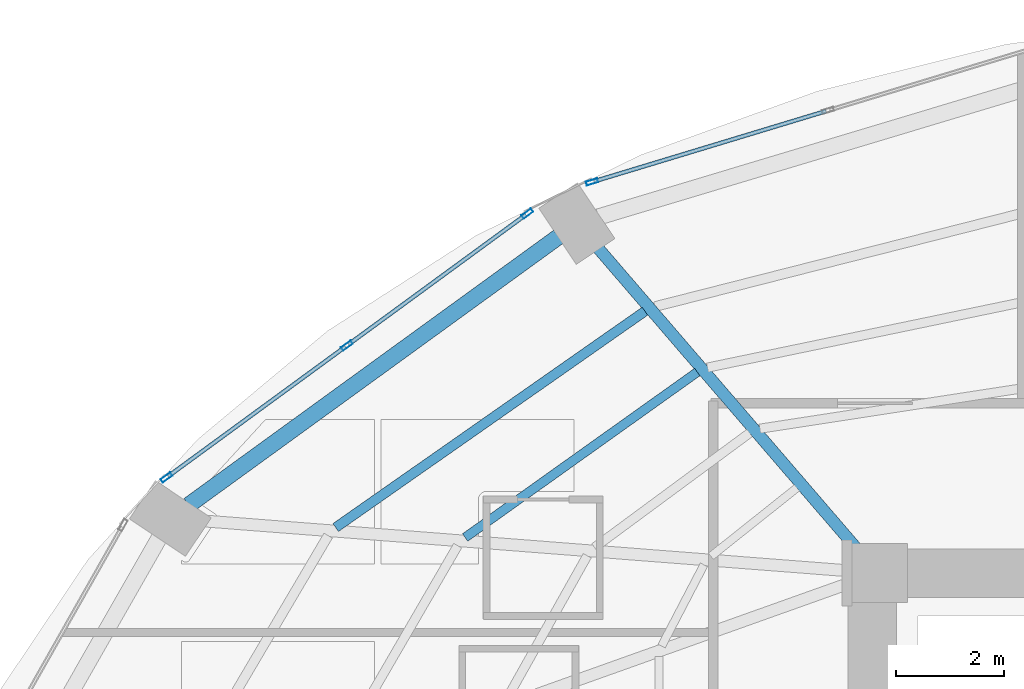
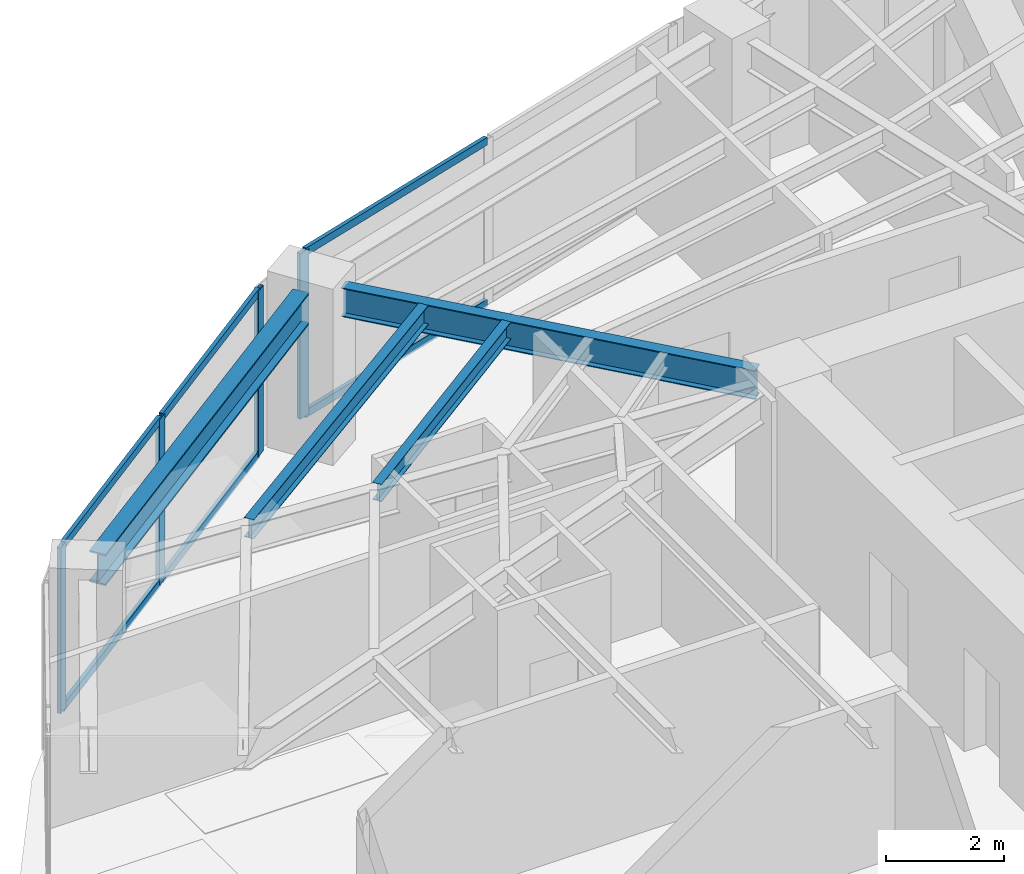
# One storey, part 13 of 24: 10 members, 4 beams, 2 elements without a shape of their own.
"""IFC4 building model written with IfcOpenShell, lengths in metres."""

from ifc_helpers import new_model, si_unit, direction, frame, origin, origin_2d, place, context, subcontext, project, spatial, hollow_rectangle, i_section, extrude, material, layer, layer_set, material_profile, profile_set, type_object, element, aggregate, save


model = new_model("IFC4")

# Units and contexts
model_context = context("Model", 3, precision=1e-05, world=origin(), true_north=direction((0.0, 1.0)))
body_context = subcontext(model_context, "Body", "Model", "MODEL_VIEW")
ifc_project = project(units=[si_unit("LENGTHUNIT", "METRE"), si_unit("AREAUNIT", "SQUARE_METRE"), si_unit("VOLUMEUNIT", "CUBIC_METRE"), si_unit("PLANEANGLEUNIT", "RADIAN"), si_unit("MASSUNIT", "GRAM", prefix="KILO")], contexts=[model_context])

# Site, building, storey
site_placement = place(None, origin())
site = spatial("IfcSite", under=ifc_project, at=site_placement, CompositionType="ELEMENT")
building_placement = place(site_placement, origin())
building = spatial("IfcBuilding", under=site, at=building_placement, Name="Lazwardi Medical Tower", CompositionType="ELEMENT")
storey_placement = place(building_placement, frame((0.0, 0.0, 54.384033203125)))
storey = spatial("IfcBuildingStorey", under=building, at=storey_placement, Name="L13", CompositionType="ELEMENT", Elevation=54.384033203125)

# Beams
ifc_material_1 = material(Name="Steel S355", Category="steel")
ifc_material_profile_1 = material_profile(ifc_material_1, i_section(OverallWidth=0.300048828125, OverallDepth=0.64990234375, WebThickness=0.01611328125, FlangeThickness=0.031005859375, at=origin_2d()), Name="HEB 650")
ifc_profile_set_1 = profile_set([ifc_material_profile_1], Name="Steel S355")
beam_type_1 = type_object("IfcBeamType", Name="BM-RB-Z1", PredefinedType="BEAM", material=ifc_profile_set_1)
beam_1_placement = place(storey_placement, frame((20.47900390625, 41.83740234375, 3.10302734375), z_axis=(-0.80939338516, -0.5872668457, 0.0), x_axis=(0.5872668457, -0.80939338516, 0.0)))
element("IfcBeam", 1, at=beam_1_placement, inside=storey, type_object=beam_type_1, Name="Ring beam RB-02 B10 L13", PredefinedType="BEAM", context=body_context, shape_type="SweptSolid", body=[
    extrude(i_section(OverallWidth=0.300048828125, OverallDepth=0.64990234375, WebThickness=0.01611328125, FlangeThickness=0.031005859375, at=origin_2d()), origin(), (0.0, 0.0, 1.0), 8.47412109375),
])
ifc_material_profile_2 = material_profile(ifc_material_1, i_section(OverallWidth=0.219970703125, OverallDepth=0.60009765625, WebThickness=0.011962890625, FlangeThickness=0.01904296875, at=origin_2d()), Name="IPE 600")
ifc_profile_set_2 = profile_set([ifc_material_profile_2], Name="Steel S355")
beam_type_2 = type_object("IfcBeamType", Name="BM-RG-W1", PredefinedType="BEAM", material=ifc_profile_set_2)
beam_2_placement = place(storey_placement, frame((21.197509765625, 41.644287109375, 3.1279296875), z_axis=(0.652368190463, -0.757902199543, 0.0), x_axis=(0.757902199543, 0.652368190463, 0.0)))
element("IfcBeam", 2, at=beam_2_placement, inside=storey, type_object=beam_type_2, Name="Radial girder RG-02 R10 L13", PredefinedType="BEAM", context=body_context, shape_type="SweptSolid", body=[
    extrude(i_section(OverallWidth=0.219970703125, OverallDepth=0.60009765625, WebThickness=0.011962890625, FlangeThickness=0.01904296875, at=origin_2d()), origin(), (0.0, 0.0, 1.0), 7.43994140625),
])
ifc_material_profile_3 = material_profile(ifc_material_1, i_section(OverallWidth=0.179931640625, OverallDepth=0.39990234375, WebThickness=0.008544921875, FlangeThickness=0.013427734375, at=origin_2d()), Name="IPE 400")
ifc_profile_set_3 = profile_set([ifc_material_profile_3], Name="Steel S355")
beam_type_3 = type_object("IfcBeamType", Name="BM-SJ-01", PredefinedType="JOIST", material=ifc_profile_set_3)
beam_3_placement = place(storey_placement, frame((22.08203125, 40.456298828125, 3.22802734375), z_axis=(-0.81942522483, -0.573186096231, 0.0), x_axis=(0.573186096231, -0.81942522483, 0.0)))
element("IfcBeam", 3, at=beam_3_placement, inside=storey, type_object=beam_type_3, Name="Secondary joist SJ-01 R1 B10 L13", PredefinedType="JOIST", context=body_context, shape_type="SweptSolid", body=[
    extrude(i_section(OverallWidth=0.179931640625, OverallDepth=0.39990234375, WebThickness=0.008544921875, FlangeThickness=0.013427734375, at=origin_2d()), origin(), (0.0, 0.0, 1.0), 6.999755859375),
])
ifc_material_profile_4 = material_profile(ifc_material_1, i_section(OverallWidth=0.169921875, OverallDepth=0.360107421875, WebThickness=0.008056640625, FlangeThickness=0.0126953125, at=origin_2d()), Name="IPE 360")
ifc_profile_set_4 = profile_set([ifc_material_profile_4], Name="Steel S355")
beam_type_4 = type_object("IfcBeamType", Name="BM-SJ-02", PredefinedType="JOIST", material=ifc_profile_set_4)
beam_4_placement = place(storey_placement, frame((23.05322265625, 39.327880859375, 3.248046875), z_axis=(-0.814341377136, -0.580386183058, 0.0), x_axis=(0.580386183058, -0.814341377136, 0.0)))
element("IfcBeam", 4, at=beam_4_placement, inside=storey, type_object=beam_type_4, Name="Secondary joist SJ-02 R2 B10 L13", PredefinedType="JOIST", context=body_context, shape_type="SweptSolid", body=[
    extrude(i_section(OverallWidth=0.169921875, OverallDepth=0.360107421875, WebThickness=0.008056640625, FlangeThickness=0.0126953125, at=origin_2d()), origin(), (0.0, 0.0, 1.0), 5.28759765625),
])

# Curtain wall, member
ifc_material_2 = material(Name="Anodised bronze aluminium and solar control glazing", Category="aluminium")
ifc_layer = layer(ifc_material_2, 0.199951171875)
ifc_layer_set = layer_set([ifc_layer], Name="Anodised bronze aluminium and solar control glazing")
curtain_wall_type = type_object("IfcCurtainWallType", Name="CW-SYS-02", PredefinedType="NOTDEFINED", material=ifc_layer_set)
curtain_wall_1_placement = place(storey_placement, origin())
curtain_wall_1 = element("IfcCurtainWall", 5, at=curtain_wall_1_placement, inside=storey, type_object=curtain_wall_type, Name="L13 Unitised bronze curtain wall CW-02", PredefinedType="NOTDEFINED")
ifc_material_3 = material(Name="Anodised bronze aluminium", Category="aluminium")
ifc_material_profile_5 = material_profile(ifc_material_3, hollow_rectangle(XDim=0.074951171875, YDim=0.219970703125, WallThickness=0.00390625, at=origin_2d()), Name="ALU-MULLION 220x75x4")
ifc_profile_set_5 = profile_set([ifc_material_profile_5], Name="Anodised bronze aluminium")
member_type_1 = type_object("IfcMemberType", Name="CW-MUL-01", PredefinedType="MULLION", material=ifc_profile_set_5)
member_1_placement = place(storey_placement, frame((21.1015625, 42.853271484375, 0.0), z_axis=(0.0, 0.0, 1.0), x_axis=(0.2898956909, -0.957058247129, 0.0)))
member_1 = element("IfcMember", 6, at=member_1_placement, type_object=member_type_1, Name="CW-02 mullion 3", PredefinedType="MULLION", context=body_context, shape_type="SweptSolid", body=[
    extrude(hollow_rectangle(XDim=0.074951171875, YDim=0.219970703125, WallThickness=0.00390625, at=origin_2d()), origin(), (0.0, 0.0, 1.0), 3.427978515625),
])

# Curtain wall, members
curtain_wall_2_placement = place(storey_placement, origin())
curtain_wall_2 = element("IfcCurtainWall", 7, at=curtain_wall_2_placement, inside=storey, type_object=curtain_wall_type, Name="L13 Unitised bronze curtain wall CW-02", PredefinedType="NOTDEFINED")
member_2_placement = place(storey_placement, frame((19.9013671875, 42.26611328125, 0.0), z_axis=(0.0, 0.0, 1.0), x_axis=(0.590289307341, -0.807191757663, 0.0)))
member_2 = element("IfcMember", 8, at=member_2_placement, type_object=member_type_1, Name="CW-02 mullion 1", PredefinedType="MULLION", context=body_context, shape_type="SweptSolid", body=[
    extrude(hollow_rectangle(XDim=0.074951171875, YDim=0.219970703125, WallThickness=0.00390625, at=origin_2d()), origin(), (0.0, 0.0, 1.0), 3.427978515625),
])
member_3_placement = place(storey_placement, frame((16.5556640625, 39.8193359375, 0.0), z_axis=(0.0, 0.0, 1.0), x_axis=(0.590289307341, -0.807191757663, 0.0)))
member_3 = element("IfcMember", 9, at=member_3_placement, type_object=member_type_1, Name="CW-02 mullion 2", PredefinedType="MULLION", context=body_context, shape_type="SweptSolid", body=[
    extrude(hollow_rectangle(XDim=0.074951171875, YDim=0.219970703125, WallThickness=0.00390625, at=origin_2d()), origin(), (0.0, 0.0, 1.0), 3.427978515625),
])
member_4_placement = place(storey_placement, frame((13.209716796875, 37.37255859375, 0.0), z_axis=(0.0, 0.0, 1.0), x_axis=(0.590289307341, -0.807191757663, 0.0)))
member_4 = element("IfcMember", 10, at=member_4_placement, type_object=member_type_1, Name="CW-02 mullion 3", PredefinedType="MULLION", context=body_context, shape_type="SweptSolid", body=[
    extrude(hollow_rectangle(XDim=0.074951171875, YDim=0.219970703125, WallThickness=0.00390625, at=origin_2d()), origin(), (0.0, 0.0, 1.0), 3.427978515625),
])

# Member
ifc_material_profile_6 = material_profile(ifc_material_3, hollow_rectangle(XDim=0.074951171875, YDim=0.159912109375, WallThickness=0.00390625, at=origin_2d()), Name="ALU-TRANSOM 160x75x4")
ifc_profile_set_6 = profile_set([ifc_material_profile_6], Name="Anodised bronze aluminium")
member_type_2 = type_object("IfcMemberType", Name="CW-TRN-01", PredefinedType="USERDEFINED", material=ifc_profile_set_6)
member_5_placement = place(storey_placement, frame((25.44091796875, 44.16748046875, 0.037353515625), z_axis=(-0.957062297904, -0.289882317383, 0.0), x_axis=(0.289882317383, -0.957062297904, 0.0)))
member_5 = element("IfcMember", 11, at=member_5_placement, type_object=member_type_2, Name="CW-02 transom 2.1", ObjectType="TRANSOM", PredefinedType="USERDEFINED", context=body_context, shape_type="SweptSolid", body=[
    extrude(hollow_rectangle(XDim=0.074951171875, YDim=0.159912109375, WallThickness=0.00390625, at=origin_2d()), origin(), (0.0, 0.0, 1.0), 4.49658203125),
])

member_6_placement = place(storey_placement, frame((25.44091796875, 44.16748046875, 3.390380859375), z_axis=(-0.957062297904, -0.289882317383, 0.0), x_axis=(0.289882317383, -0.957062297904, 0.0)))
member_6 = element("IfcMember", 12, at=member_6_placement, type_object=member_type_2, Name="CW-02 transom 2.2", ObjectType="TRANSOM", PredefinedType="USERDEFINED", context=body_context, shape_type="SweptSolid", body=[
    extrude(hollow_rectangle(XDim=0.074951171875, YDim=0.159912109375, WallThickness=0.00390625, at=origin_2d()), origin(), (0.0, 0.0, 1.0), 4.49658203125),
])

aggregate(curtain_wall_1, [member_1, member_5, member_6])

member_7_placement = place(storey_placement, frame((19.87109375, 42.243896484375, 0.037353515625), z_axis=(-0.807197636578, -0.590281268128, 0.0), x_axis=(0.590281268128, -0.807197636578, 0.0)))
member_7 = element("IfcMember", 13, at=member_7_placement, type_object=member_type_2, Name="CW-02 transom 1.1", ObjectType="TRANSOM", PredefinedType="USERDEFINED", context=body_context, shape_type="SweptSolid", body=[
    extrude(hollow_rectangle(XDim=0.074951171875, YDim=0.159912109375, WallThickness=0.00390625, at=origin_2d()), origin(), (0.0, 0.0, 1.0), 4.06982421875),
])

member_8_placement = place(storey_placement, frame((19.87109375, 42.243896484375, 3.390380859375), z_axis=(-0.807197636578, -0.590281268128, 0.0), x_axis=(0.590281268128, -0.807197636578, 0.0)))
member_8 = element("IfcMember", 14, at=member_8_placement, type_object=member_type_2, Name="CW-02 transom 1.2", ObjectType="TRANSOM", PredefinedType="USERDEFINED", context=body_context, shape_type="SweptSolid", body=[
    extrude(hollow_rectangle(XDim=0.074951171875, YDim=0.159912109375, WallThickness=0.00390625, at=origin_2d()), origin(), (0.0, 0.0, 1.0), 4.06982421875),
])

member_9_placement = place(storey_placement, frame((16.525390625, 39.797119140625, 0.037353515625), z_axis=(-0.807218536774, -0.590252686472, 0.0), x_axis=(0.590252686472, -0.807218536774, 0.0)))
member_9 = element("IfcMember", 15, at=member_9_placement, type_object=member_type_2, Name="CW-02 transom 2.1", ObjectType="TRANSOM", PredefinedType="USERDEFINED", context=body_context, shape_type="SweptSolid", body=[
    extrude(hollow_rectangle(XDim=0.074951171875, YDim=0.159912109375, WallThickness=0.00390625, at=origin_2d()), origin(), (0.0, 0.0, 1.0), 4.070068359375),
])

member_10_placement = place(storey_placement, frame((16.525390625, 39.797119140625, 3.390380859375), z_axis=(-0.807218536774, -0.590252686472, 0.0), x_axis=(0.590252686472, -0.807218536774, 0.0)))
member_10 = element("IfcMember", 16, at=member_10_placement, type_object=member_type_2, Name="CW-02 transom 2.2", ObjectType="TRANSOM", PredefinedType="USERDEFINED", context=body_context, shape_type="SweptSolid", body=[
    extrude(hollow_rectangle(XDim=0.074951171875, YDim=0.159912109375, WallThickness=0.00390625, at=origin_2d()), origin(), (0.0, 0.0, 1.0), 4.070068359375),
])

aggregate(curtain_wall_2, [member_2, member_3, member_4, member_7, member_8, member_9, member_10])

save(model, "model.ifc")
